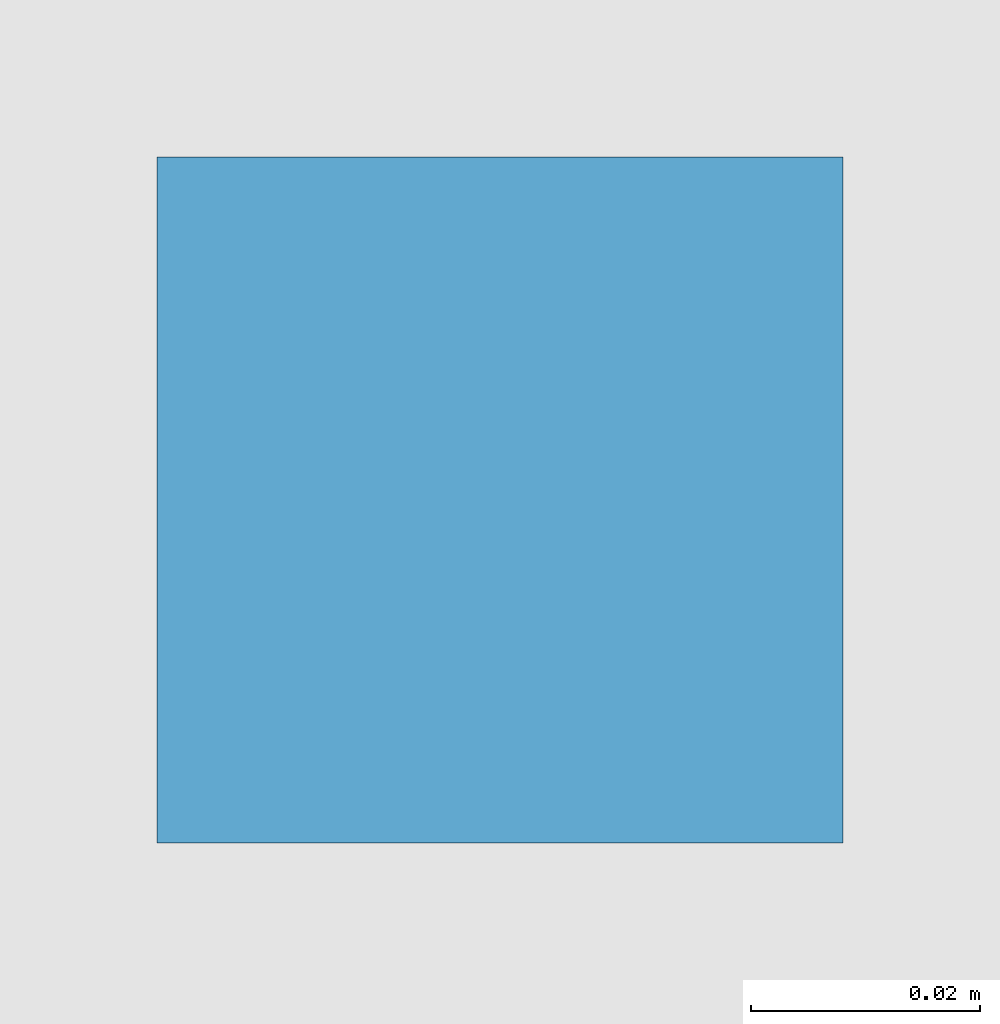
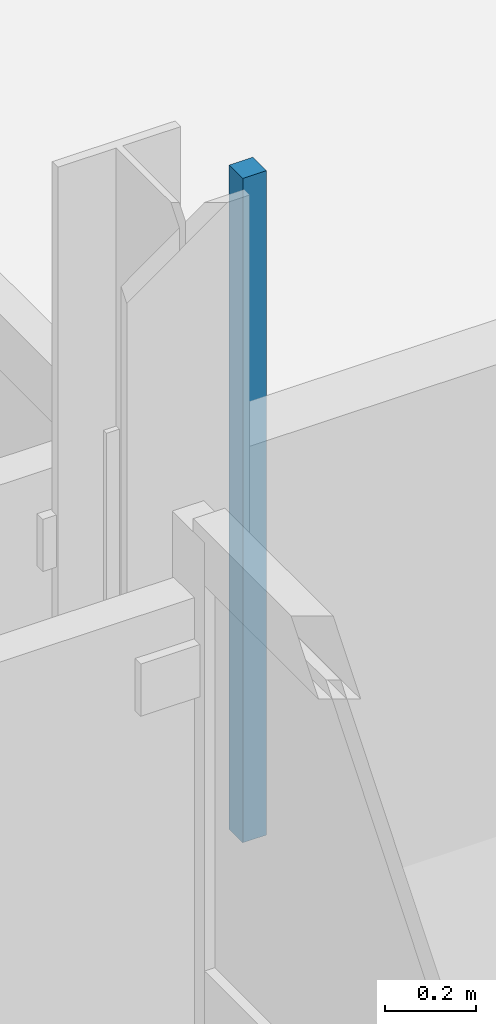
# One storey, part 83 of 111: 1 discrete accessory.
"""IFC4 building model written with IfcOpenShell, lengths in metres."""

from ifc_helpers import new_model, si_unit, direction, frame, origin, place, context, subcontext, project, spatial, polyline, outline, extrude, material, type_object, element, save


model = new_model("IFC4")

# Units and contexts
model_context = context("Model", 3, precision=1e-05, world=origin(), true_north=direction((0.0, 1.0)))
body_context = subcontext(model_context, "Body", "Model", "MODEL_VIEW")
ifc_project = project(units=[si_unit("LENGTHUNIT", "METRE"), si_unit("AREAUNIT", "SQUARE_METRE"), si_unit("VOLUMEUNIT", "CUBIC_METRE"), si_unit("PLANEANGLEUNIT", "RADIAN"), si_unit("MASSUNIT", "GRAM", prefix="KILO")], contexts=[model_context])

# Site, building, storey
site_placement = place(None, origin())
site = spatial("IfcSite", under=ifc_project, at=site_placement, CompositionType="ELEMENT")
building_placement = place(site_placement, origin())
building = spatial("IfcBuilding", under=site, at=building_placement, Name="Dunescarp Central Library", CompositionType="ELEMENT")
storey_placement = place(building_placement, origin())
storey = spatial("IfcBuildingStorey", under=building, at=storey_placement, Name="L00", CompositionType="ELEMENT", Elevation=0.0)

# Discrete accessory
ifc_material = material(Name="Stainless steel Grade 316L", Category="steel")
discrete_accessory_type = type_object("IfcDiscreteAccessoryType", Name="ARC-ACC-BRK", PredefinedType="BRACKET", material=ifc_material)
discrete_accessory_placement = place(storey_placement, frame((0.0, 0.0, 3.06005859375)))
element("IfcDiscreteAccessory", 1, at=discrete_accessory_placement, inside=storey, type_object=discrete_accessory_type, Name="L00 ceiling hanger CLG-L00-121-H1", PredefinedType="BRACKET", context=body_context, shape_type="SweptSolid", body=[
    extrude(outline(polyline([(0.360107421875, 70.6201171875), (0.419921875, 70.6201171875), (0.419921875, 70.679931640625), (0.360107421875, 70.679931640625), (0.360107421875, 70.6201171875)])), origin(), (0.0, 0.0, 1.0), 1.780029296875),
])

save(model, "model.ifc")
